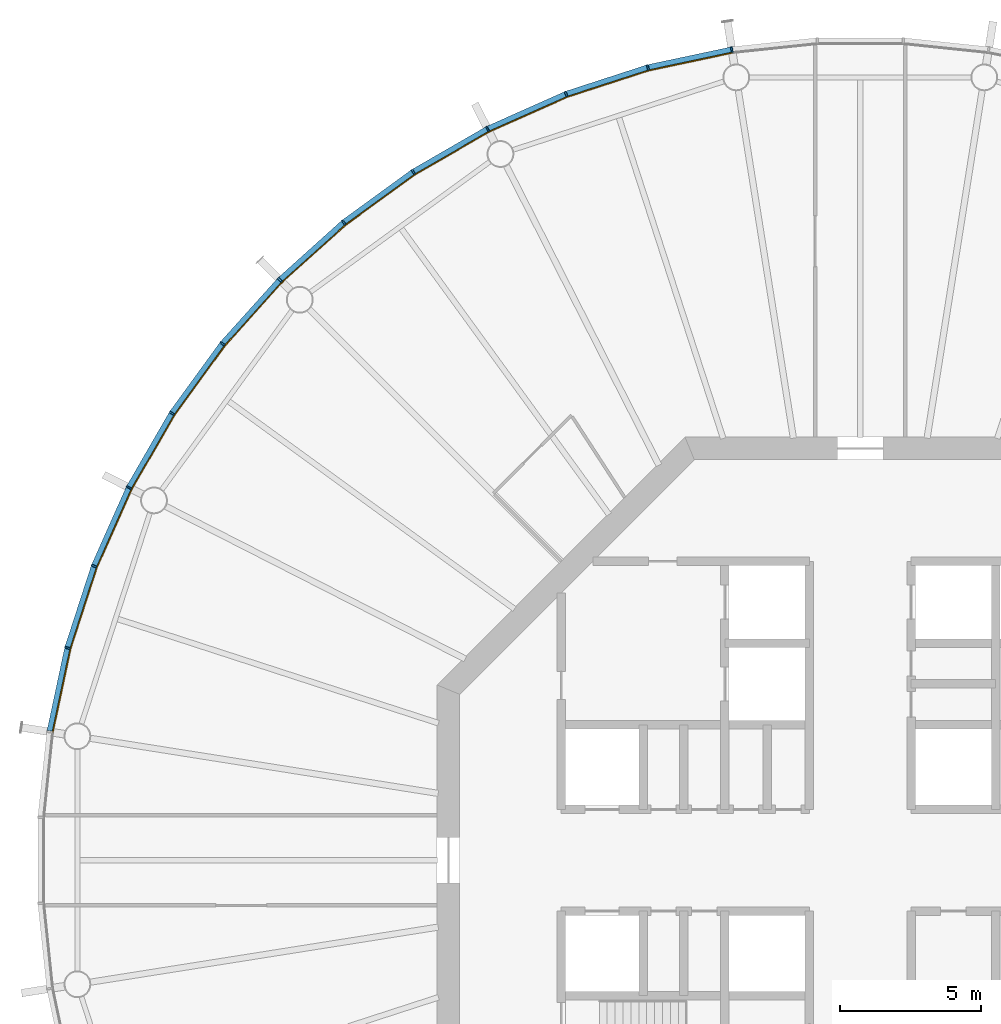
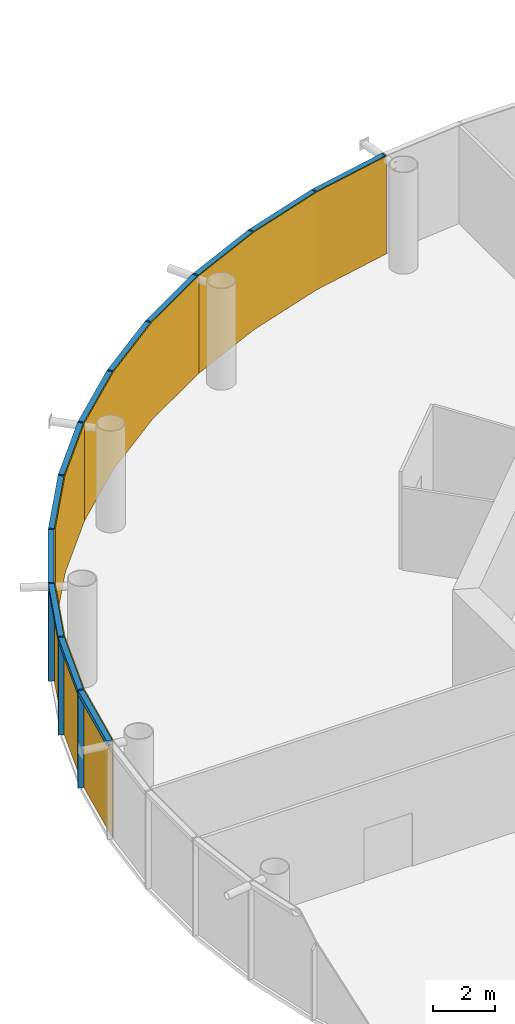
# One storey, part 13 of 16: 24 members, 4 curtain walls.
"""IFC4 building model written with IfcOpenShell, lengths in metres."""

from ifc_helpers import new_model, si_unit, direction, frame, origin, origin_2d, place, context, subcontext, project, spatial, polyline, rectangle, outline, extrude, material, layer, layer_set, material_profile, profile_set, type_object, element, aggregate, save


model = new_model("IFC4")

# Units and contexts
model_context = context("Model", 3, precision=1e-05, world=origin(), true_north=direction((0.0, 1.0)))
body_context = subcontext(model_context, "Body", "Model", "MODEL_VIEW")
ifc_project = project(units=[si_unit("LENGTHUNIT", "METRE"), si_unit("AREAUNIT", "SQUARE_METRE"), si_unit("VOLUMEUNIT", "CUBIC_METRE"), si_unit("PLANEANGLEUNIT", "RADIAN"), si_unit("MASSUNIT", "GRAM", prefix="KILO")], contexts=[model_context])

# Member
ifc_material_1 = material(Name="Anodised aluminium", Category="aluminium")
ifc_material_profile_1 = material_profile(ifc_material_1, rectangle(XDim=0.06494140625, YDim=0.195068359375, at=origin_2d()), Name="Mullion 65 x 195 mm anodised aluminium")
ifc_profile_set_1 = profile_set([ifc_material_profile_1], Name="Anodised aluminium")
member_type_1 = type_object("IfcMemberType", Name="Mullion 65 x 195 mm anodised aluminium", PredefinedType="MULLION", material=ifc_profile_set_1)
site_placement = place(None, origin())
building_placement = place(site_placement, origin())
storey_placement = place(building_placement, frame((0.0, 0.0, 326.0)))
member_1_placement = place(storey_placement, frame((85.4482421875, 108.7392578125, 0.0), z_axis=(0.0, 0.0, 1.0), x_axis=(-0.987688340595, -0.15643446504, 0.0)))
member_1 = element("IfcMember", 1, at=member_1_placement, type_object=member_type_1, Name="MULLION L75-15", PredefinedType="MULLION", context=body_context, shape_type="SweptSolid", body=[
    extrude(rectangle(XDim=0.06494140625, YDim=0.195068359375, at=origin_2d()), origin(), (0.0, 0.0, 1.0), 3.85009765625),
])

member_2_placement = place(storey_placement, frame((82.468994140625, 108.10595703125, 0.0), z_axis=(0.0, 0.0, 1.0), x_axis=(-0.965925826289, -0.258819045103, 0.0)))
member_2 = element("IfcMember", 2, at=member_2_placement, type_object=member_type_1, Name="MULLION L75-16", PredefinedType="MULLION", context=body_context, shape_type="SweptSolid", body=[
    extrude(rectangle(XDim=0.06494140625, YDim=0.195068359375, at=origin_2d()), origin(), (0.0, 0.0, 1.0), 3.85009765625),
])

member_3_placement = place(storey_placement, frame((79.572509765625, 107.164794921875, 0.0), z_axis=(0.0, 0.0, 1.0), x_axis=(-0.933580426497, -0.358367949545, 0.0)))
member_3 = element("IfcMember", 3, at=member_3_placement, type_object=member_type_1, Name="MULLION L75-17", PredefinedType="MULLION", context=body_context, shape_type="SweptSolid", body=[
    extrude(rectangle(XDim=0.06494140625, YDim=0.195068359375, at=origin_2d()), origin(), (0.0, 0.0, 1.0), 3.85009765625),
])

member_4_placement = place(storey_placement, frame((76.7900390625, 105.926025390625, 0.0), z_axis=(0.0, 0.0, 1.0), x_axis=(-0.891006524188, -0.45399049974, 0.0)))
member_4 = element("IfcMember", 4, at=member_4_placement, type_object=member_type_1, Name="MULLION L75-18", PredefinedType="MULLION", context=body_context, shape_type="SweptSolid", body=[
    extrude(rectangle(XDim=0.06494140625, YDim=0.195068359375, at=origin_2d()), origin(), (0.0, 0.0, 1.0), 3.85009765625),
])

member_5_placement = place(storey_placement, frame((74.15234375, 104.4033203125, 0.0), z_axis=(0.0, 0.0, 1.0), x_axis=(-0.838670567945, -0.544639035015, 0.0)))
member_5 = element("IfcMember", 5, at=member_5_placement, type_object=member_type_1, Name="MULLION L75-19", PredefinedType="MULLION", context=body_context, shape_type="SweptSolid", body=[
    extrude(rectangle(XDim=0.06494140625, YDim=0.195068359375, at=origin_2d()), origin(), (0.0, 0.0, 1.0), 3.85009765625),
])

member_6_placement = place(storey_placement, frame((71.688232421875, 102.613037109375, 0.0), z_axis=(0.0, 0.0, 1.0), x_axis=(-0.777145961457, -0.62932039105, 0.0)))
member_6 = element("IfcMember", 6, at=member_6_placement, type_object=member_type_1, Name="MULLION L75-20", PredefinedType="MULLION", context=body_context, shape_type="SweptSolid", body=[
    extrude(rectangle(XDim=0.06494140625, YDim=0.195068359375, at=origin_2d()), origin(), (0.0, 0.0, 1.0), 3.85009765625),
])

member_7_placement = place(storey_placement, frame((69.425048828125, 100.574951171875, 0.0), z_axis=(0.0, 0.0, 1.0), x_axis=(-0.707106781187, -0.707106781187, 0.0)))
member_7 = element("IfcMember", 7, at=member_7_placement, type_object=member_type_1, Name="MULLION L75-21", PredefinedType="MULLION", context=body_context, shape_type="SweptSolid", body=[
    extrude(rectangle(XDim=0.06494140625, YDim=0.195068359375, at=origin_2d()), origin(), (0.0, 0.0, 1.0), 3.85009765625),
])

member_8_placement = place(storey_placement, frame((67.386962890625, 98.311767578125, 0.0), z_axis=(0.0, 0.0, 1.0), x_axis=(-0.62932039105, -0.777145961457, 0.0)))
member_8 = element("IfcMember", 8, at=member_8_placement, type_object=member_type_1, Name="MULLION L75-22", PredefinedType="MULLION", context=body_context, shape_type="SweptSolid", body=[
    extrude(rectangle(XDim=0.06494140625, YDim=0.195068359375, at=origin_2d()), origin(), (0.0, 0.0, 1.0), 3.85009765625),
])

member_9_placement = place(storey_placement, frame((65.5966796875, 95.84765625, 0.0), z_axis=(0.0, 0.0, 1.0), x_axis=(-0.544639035015, -0.838670567945, 0.0)))
member_9 = element("IfcMember", 9, at=member_9_placement, type_object=member_type_1, Name="MULLION L75-23", PredefinedType="MULLION", context=body_context, shape_type="SweptSolid", body=[
    extrude(rectangle(XDim=0.06494140625, YDim=0.195068359375, at=origin_2d()), origin(), (0.0, 0.0, 1.0), 3.85009765625),
])

member_10_placement = place(storey_placement, frame((64.073974609375, 93.2099609375, 0.0), z_axis=(0.0, 0.0, 1.0), x_axis=(-0.45399049974, -0.891006524188, 0.0)))
member_10 = element("IfcMember", 10, at=member_10_placement, type_object=member_type_1, Name="MULLION L75-24", PredefinedType="MULLION", context=body_context, shape_type="SweptSolid", body=[
    extrude(rectangle(XDim=0.06494140625, YDim=0.195068359375, at=origin_2d()), origin(), (0.0, 0.0, 1.0), 3.85009765625),
])

member_11_placement = place(storey_placement, frame((62.835205078125, 90.427490234375, 0.0), z_axis=(0.0, 0.0, 1.0), x_axis=(-0.358367949545, -0.933580426497, 0.0)))
member_11 = element("IfcMember", 11, at=member_11_placement, type_object=member_type_1, Name="MULLION L75-25", PredefinedType="MULLION", context=body_context, shape_type="SweptSolid", body=[
    extrude(rectangle(XDim=0.06494140625, YDim=0.195068359375, at=origin_2d()), origin(), (0.0, 0.0, 1.0), 3.85009765625),
])

member_12_placement = place(storey_placement, frame((61.89404296875, 87.531005859375, 0.0), z_axis=(0.0, 0.0, 1.0), x_axis=(-0.258819045103, -0.965925826289, 0.0)))
member_12 = element("IfcMember", 12, at=member_12_placement, type_object=member_type_1, Name="MULLION L75-26", PredefinedType="MULLION", context=body_context, shape_type="SweptSolid", body=[
    extrude(rectangle(XDim=0.06494140625, YDim=0.195068359375, at=origin_2d()), origin(), (0.0, 0.0, 1.0), 3.85009765625),
])

ifc_material_2 = material(Name="Anodised aluminium", Category="aluminium")
ifc_material_profile_2 = material_profile(ifc_material_2, rectangle(XDim=0.195068359375, YDim=0.179931640625, at=origin_2d()), Name="Transom 180 x 195 mm anodised aluminium")
ifc_profile_set_2 = profile_set([ifc_material_profile_2], Name="Anodised aluminium")
member_type_2 = type_object("IfcMemberType", Name="Transom 180 x 195 mm anodised aluminium", PredefinedType="USERDEFINED", material=ifc_profile_set_2)
member_13_placement = place(storey_placement, frame((85.411376953125, 108.731689453125, 3.760009765625), z_axis=(-0.978141510112, -0.207940342877, 0.0), x_axis=(0.207940342877, -0.978141510112, 0.0)))
member_13 = element("IfcMember", 13, at=member_13_placement, type_object=member_type_2, Name="TRANSOM L75-15", ObjectType="TRANSOM", PredefinedType="USERDEFINED", context=body_context, shape_type="SweptSolid", body=[
    extrude(rectangle(XDim=0.195068359375, YDim=0.179931640625, at=origin_2d()), origin(), (0.0, 0.0, 1.0), 2.970458984375),
])

member_14_placement = place(storey_placement, frame((82.43310546875, 108.094482421875, 3.760009765625), z_axis=(-0.951047960094, -0.309043326415, 0.0), x_axis=(0.309043326415, -0.951047960094, 0.0)))
member_14 = element("IfcMember", 14, at=member_14_placement, type_object=member_type_2, Name="TRANSOM L75-16", ObjectType="TRANSOM", PredefinedType="USERDEFINED", context=body_context, shape_type="SweptSolid", body=[
    extrude(rectangle(XDim=0.195068359375, YDim=0.179931640625, at=origin_2d()), origin(), (0.0, 0.0, 1.0), 2.970458984375),
])

member_15_placement = place(storey_placement, frame((79.5380859375, 107.149658203125, 3.760009765625), z_axis=(-0.913550406593, -0.406725527369, 0.0), x_axis=(0.406725527369, -0.913550406593, 0.0)))
member_15 = element("IfcMember", 15, at=member_15_placement, type_object=member_type_2, Name="TRANSOM L75-17", ObjectType="TRANSOM", PredefinedType="USERDEFINED", context=body_context, shape_type="SweptSolid", body=[
    extrude(rectangle(XDim=0.195068359375, YDim=0.179931640625, at=origin_2d()), origin(), (0.0, 0.0, 1.0), 2.970703125),
])

member_16_placement = place(storey_placement, frame((76.75732421875, 105.907470703125, 3.760009765625), z_axis=(-0.866009025146, -0.500028367561, 0.0), x_axis=(0.500028367561, -0.866009025146, 0.0)))
member_16 = element("IfcMember", 16, at=member_16_placement, type_object=member_type_2, Name="TRANSOM L75-18", ObjectType="TRANSOM", PredefinedType="USERDEFINED", context=body_context, shape_type="SweptSolid", body=[
    extrude(rectangle(XDim=0.195068359375, YDim=0.179931640625, at=origin_2d()), origin(), (0.0, 0.0, 1.0), 2.970458984375),
])

member_17_placement = place(storey_placement, frame((74.121826171875, 104.381103515625, 3.760009765625), z_axis=(-0.809030990733, -0.587765987476, 0.0), x_axis=(0.587765987476, -0.809030990733, 0.0)))
member_17 = element("IfcMember", 17, at=member_17_placement, type_object=member_type_2, Name="TRANSOM L75-19", ObjectType="TRANSOM", PredefinedType="USERDEFINED", context=body_context, shape_type="SweptSolid", body=[
    extrude(rectangle(XDim=0.195068359375, YDim=0.179931640625, at=origin_2d()), origin(), (0.0, 0.0, 1.0), 2.97021484375),
])

member_18_placement = place(storey_placement, frame((71.660400390625, 102.587890625, 3.760009765625), z_axis=(-0.743163354343, -0.669110027395, 0.0), x_axis=(0.669110027395, -0.743163354343, 0.0)))
member_18 = element("IfcMember", 18, at=member_18_placement, type_object=member_type_2, Name="TRANSOM L75-20", ObjectType="TRANSOM", PredefinedType="USERDEFINED", context=body_context, shape_type="SweptSolid", body=[
    extrude(rectangle(XDim=0.195068359375, YDim=0.179931640625, at=origin_2d()), origin(), (0.0, 0.0, 1.0), 2.970458984375),
])

member_19_placement = place(storey_placement, frame((69.399658203125, 100.547119140625, 3.760009765625), z_axis=(-0.669110027395, -0.743163354343, 0.0), x_axis=(0.743163354343, -0.669110027395, 0.0)))
member_19 = element("IfcMember", 19, at=member_19_placement, type_object=member_type_2, Name="TRANSOM L75-21", ObjectType="TRANSOM", PredefinedType="USERDEFINED", context=body_context, shape_type="SweptSolid", body=[
    extrude(rectangle(XDim=0.195068359375, YDim=0.179931640625, at=origin_2d()), origin(), (0.0, 0.0, 1.0), 2.970458984375),
])

member_20_placement = place(storey_placement, frame((67.36474609375, 98.28125, 3.760009765625), z_axis=(-0.587765987476, -0.809030990733, 0.0), x_axis=(0.809030990733, -0.587765987476, 0.0)))
member_20 = element("IfcMember", 20, at=member_20_placement, type_object=member_type_2, Name="TRANSOM L75-22", ObjectType="TRANSOM", PredefinedType="USERDEFINED", context=body_context, shape_type="SweptSolid", body=[
    extrude(rectangle(XDim=0.195068359375, YDim=0.179931640625, at=origin_2d()), origin(), (0.0, 0.0, 1.0), 2.97021484375),
])

member_21_placement = place(storey_placement, frame((65.577880859375, 95.815185546875, 3.760009765625), z_axis=(-0.500028367561, -0.866009025146, 0.0), x_axis=(0.866009025146, -0.500028367561, 0.0)))
member_21 = element("IfcMember", 21, at=member_21_placement, type_object=member_type_2, Name="TRANSOM L75-23", ObjectType="TRANSOM", PredefinedType="USERDEFINED", context=body_context, shape_type="SweptSolid", body=[
    extrude(rectangle(XDim=0.195068359375, YDim=0.179931640625, at=origin_2d()), origin(), (0.0, 0.0, 1.0), 2.970458984375),
])

member_22_placement = place(storey_placement, frame((64.05859375, 93.17578125, 3.760009765625), z_axis=(-0.406725527369, -0.913550406593, 0.0), x_axis=(0.913550406593, -0.406725527369, 0.0)))
member_22 = element("IfcMember", 22, at=member_22_placement, type_object=member_type_2, Name="TRANSOM L75-24", ObjectType="TRANSOM", PredefinedType="USERDEFINED", context=body_context, shape_type="SweptSolid", body=[
    extrude(rectangle(XDim=0.195068359375, YDim=0.179931640625, at=origin_2d()), origin(), (0.0, 0.0, 1.0), 2.970703125),
])

member_23_placement = place(storey_placement, frame((62.823486328125, 90.391845703125, 3.760009765625), z_axis=(-0.309043326415, -0.951047960094, 0.0), x_axis=(0.951047960094, -0.309043326415, 0.0)))
member_23 = element("IfcMember", 23, at=member_23_placement, type_object=member_type_2, Name="TRANSOM L75-25", ObjectType="TRANSOM", PredefinedType="USERDEFINED", context=body_context, shape_type="SweptSolid", body=[
    extrude(rectangle(XDim=0.195068359375, YDim=0.179931640625, at=origin_2d()), origin(), (0.0, 0.0, 1.0), 2.970458984375),
])

member_24_placement = place(storey_placement, frame((61.885986328125, 87.494140625, 3.760009765625), z_axis=(-0.207940342877, -0.978141510112, 0.0), x_axis=(0.978141510112, -0.207940342877, 0.0)))
member_24 = element("IfcMember", 24, at=member_24_placement, type_object=member_type_2, Name="TRANSOM L75-26", ObjectType="TRANSOM", PredefinedType="USERDEFINED", context=body_context, shape_type="SweptSolid", body=[
    extrude(rectangle(XDim=0.195068359375, YDim=0.179931640625, at=origin_2d()), origin(), (0.0, 0.0, 1.0), 2.970458984375),
])

# Site, building, storey
site = spatial("IfcSite", under=ifc_project, at=site_placement, CompositionType="ELEMENT")
building = spatial("IfcBuilding", under=site, at=building_placement, Name="Entoto Ring Tower", CompositionType="ELEMENT")
storey = spatial("IfcBuildingStorey", under=building, at=storey_placement, Name="L75", CompositionType="ELEMENT", Elevation=326.0)

# Curtain wall
ifc_material_3 = material(Name="Clear low-iron glass", Category="glass")
ifc_layer = layer(ifc_material_3, 0.033935546875)
ifc_layer_set = layer_set([ifc_layer], Name="Clear low-iron glass")
curtain_wall_type = type_object("IfcCurtainWallType", Name="Curtain wall system CW5 glazing 34 mm", PredefinedType="NOTDEFINED", material=ifc_layer_set)
curtain_wall_1_placement = place(storey_placement, origin())
curtain_wall_1 = element("IfcCurtainWall", 25, at=curtain_wall_1_placement, inside=storey, type_object=curtain_wall_type, Name="CW5 L75-06", PredefinedType="NOTDEFINED", context=body_context, shape_type="SweptSolid", body=[
    extrude(outline(polyline([(85.46337890625, 108.64306640625), (82.494140625, 108.011962890625), (79.607421875, 107.07373046875), (76.834228515625, 105.839111328125), (76.849853515625, 105.808837890625), (79.61962890625, 107.0419921875), (82.503173828125, 107.97900390625), (85.46875, 108.609375), (85.46337890625, 108.64306640625)])), origin(), (0.0, 0.0, 1.0), 3.85009765625),
])

aggregate(curtain_wall_1, [member_1, member_2, member_3, member_13, member_14, member_15])

curtain_wall_2_placement = place(storey_placement, origin())
curtain_wall_2 = element("IfcCurtainWall", 26, at=curtain_wall_2_placement, inside=storey, type_object=curtain_wall_type, Name="CW5 L75-07", PredefinedType="NOTDEFINED", context=body_context, shape_type="SweptSolid", body=[
    extrude(outline(polyline([(76.834228515625, 105.839111328125), (74.20556640625, 104.321533203125), (71.749755859375, 102.537353515625), (69.493896484375, 100.506103515625), (69.51806640625, 100.48193359375), (71.771240234375, 102.5107421875), (74.22412109375, 104.29296875), (76.849853515625, 105.808837890625), (76.834228515625, 105.839111328125)])), origin(), (0.0, 0.0, 1.0), 3.85009765625),
])

aggregate(curtain_wall_2, [member_4, member_5, member_6, member_16, member_17, member_18])

curtain_wall_3_placement = place(storey_placement, origin())
curtain_wall_3 = element("IfcCurtainWall", 27, at=curtain_wall_3_placement, inside=storey, type_object=curtain_wall_type, Name="CW5 L75-08", PredefinedType="NOTDEFINED", context=body_context, shape_type="SweptSolid", body=[
    extrude(outline(polyline([(69.493896484375, 100.506103515625), (67.462646484375, 98.250244140625), (65.678466796875, 95.79443359375), (64.160888671875, 93.165771484375), (64.191162109375, 93.150146484375), (65.70703125, 95.77587890625), (67.4892578125, 98.228759765625), (69.51806640625, 100.48193359375), (69.493896484375, 100.506103515625)])), origin(), (0.0, 0.0, 1.0), 3.85009765625),
])

aggregate(curtain_wall_3, [member_7, member_8, member_9, member_19, member_20, member_21])

curtain_wall_4_placement = place(storey_placement, origin())
curtain_wall_4 = element("IfcCurtainWall", 28, at=curtain_wall_4_placement, inside=storey, type_object=curtain_wall_type, Name="CW5 L75-09", PredefinedType="NOTDEFINED", context=body_context, shape_type="SweptSolid", body=[
    extrude(outline(polyline([(64.160888671875, 93.165771484375), (62.92626953125, 90.392578125), (61.988037109375, 87.505859375), (61.35693359375, 84.53662109375), (61.390625, 84.53125), (62.02099609375, 87.496826171875), (62.9580078125, 90.38037109375), (64.191162109375, 93.150146484375), (64.160888671875, 93.165771484375)])), origin(), (0.0, 0.0, 1.0), 3.85009765625),
])

aggregate(curtain_wall_4, [member_10, member_11, member_12, member_22, member_23, member_24])

save(model, "model.ifc")
